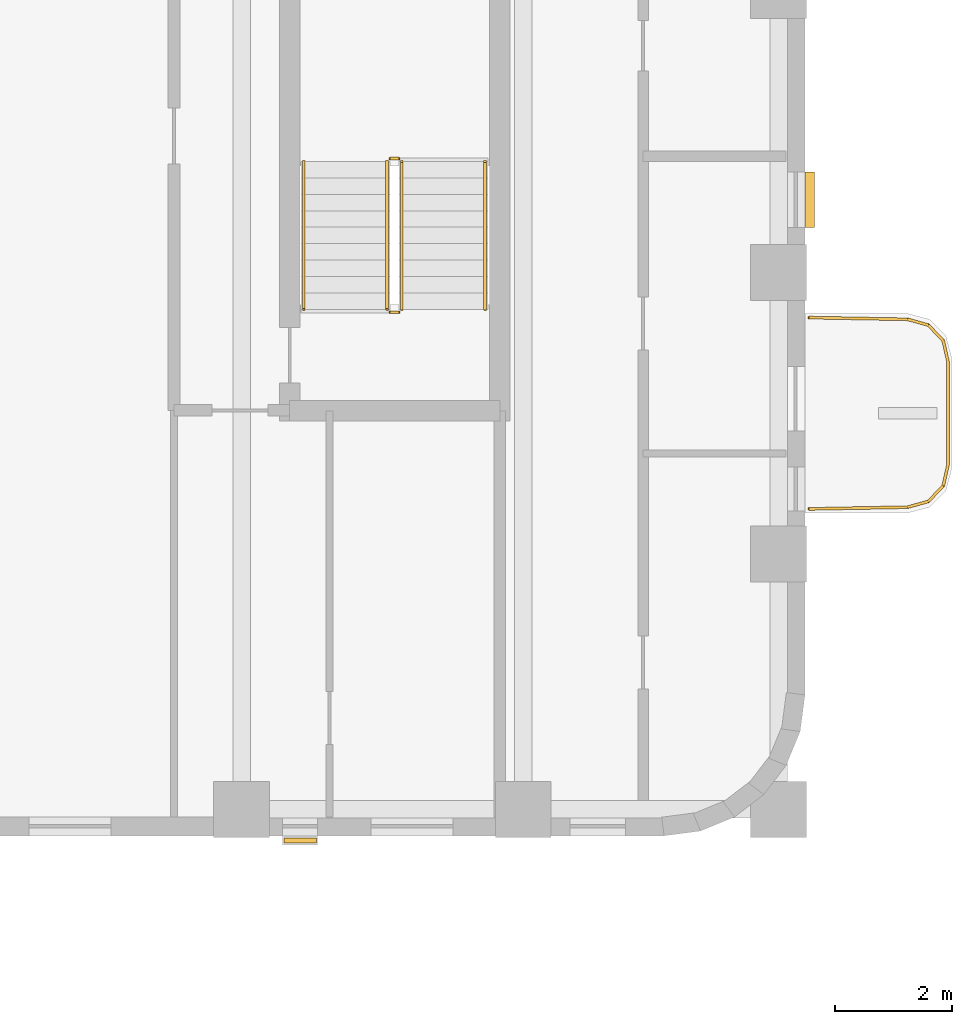
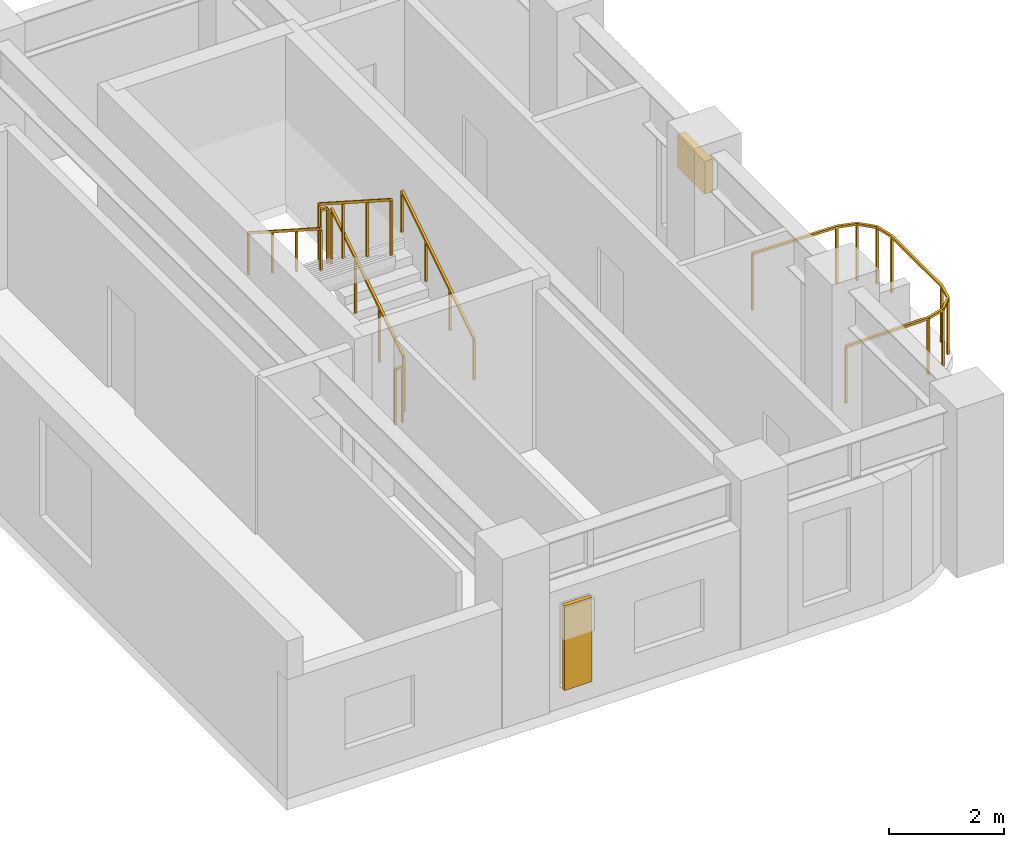
# One storey, part 10 of 11: 7 railings, 2 shading devices.
"""IFC4 building model written with IfcOpenShell, lengths in metres."""

from ifc_helpers import new_model, si_unit, direction, frame, origin, origin_2d, place, context, subcontext, project, spatial, rectangle, extrude, material, type_object, element, save


model = new_model("IFC4")

# Units and contexts
model_context = context("Model", 3, precision=1e-05, world=origin(), true_north=direction((0.0, 1.0)))
body_context = subcontext(model_context, "Body", "Model", "MODEL_VIEW")
ifc_project = project(units=[si_unit("LENGTHUNIT", "METRE"), si_unit("AREAUNIT", "SQUARE_METRE"), si_unit("VOLUMEUNIT", "CUBIC_METRE"), si_unit("PLANEANGLEUNIT", "RADIAN"), si_unit("MASSUNIT", "GRAM", prefix="KILO")], contexts=[model_context])

# Site, building, storey
site_placement = place(None, origin())
site = spatial("IfcSite", under=ifc_project, at=site_placement, CompositionType="ELEMENT")
building_placement = place(site_placement, origin())
building = spatial("IfcBuilding", under=site, at=building_placement, Name="Orvandelia Arch Residences", CompositionType="ELEMENT")
storey_placement = place(building_placement, frame((0.0, 0.0, 164.800048828125)))
storey = spatial("IfcBuildingStorey", under=building, at=storey_placement, Name="L43", CompositionType="ELEMENT", Elevation=164.800048828125)

# Railings
ifc_material_1 = material(Name="Marine-Grade Stainless Steel 316", Category="steel")
railing_type_1 = type_object("IfcRailingType", Name="GRD-BAL-1200", PredefinedType="BALUSTRADE", material=ifc_material_1)
railing_1_placement = place(storey_placement, frame((52.871826171875, 34.36962890625, 0.0)))
element("IfcRailing", 1, at=railing_1_placement, inside=storey, type_object=railing_type_1, Name="Safety Balustrade Guard GRD-L43-BAL-L43-E1-1", PredefinedType="BALUSTRADE", context=body_context, shape_type="SweptSolid", body=[
    extrude(rectangle(XDim=0.048095703125, YDim=0.048095703125, at=origin_2d()), frame((0.0, 0.0, 1.19580078125), z_axis=(0.999837384468, 0.018033430643, 0.0), x_axis=(-0.018033430643, 0.999837384468, 0.0)), (0.0, 0.0, 1.0), 1.6787109375),
    extrude(rectangle(XDim=0.048095703125, YDim=0.048095703125, at=origin_2d()), frame((1.678466796875, 0.0302734375, 1.19580078125), z_axis=(0.96348920644, 0.267747173792, 0.0), x_axis=(-0.267747173792, 0.96348920644, 0.0)), (0.0, 0.0, 1.0), 0.36572265625),
    extrude(rectangle(XDim=0.048095703125, YDim=0.048095703125, at=origin_2d()), frame((2.03076171875, 0.128173828125, 1.19580078125), z_axis=(0.687947031175, 0.725760898848, 0.0), x_axis=(-0.725760898848, 0.687947031175, 0.0)), (0.0, 0.0, 1.0), 0.367919921875),
    extrude(rectangle(XDim=0.048095703125, YDim=0.048095703125, at=origin_2d()), frame((2.283935546875, 0.395263671875, 1.19580078125), z_axis=(0.221225034864, 0.975222786828, 0.0), x_axis=(-0.975222786828, 0.221225034864, 0.0)), (0.0, 0.0, 1.0), 0.373046875),
    extrude(rectangle(XDim=0.048095703125, YDim=0.048095703125, at=origin_2d()), frame((2.366455078125, 0.759033203125, 1.19580078125), z_axis=(0.0, 1.0, 0.0), x_axis=(-1.0, 0.0, 0.0)), (0.0, 0.0, 1.0), 1.74267578125),
    extrude(rectangle(XDim=0.048095703125, YDim=0.048095703125, at=origin_2d()), frame((2.366455078125, 2.501708984375, 1.19580078125), z_axis=(-0.221225034864, 0.975222786828, 0.0), x_axis=(-0.975222786828, -0.221225034864, 0.0)), (0.0, 0.0, 1.0), 0.373046875),
    extrude(rectangle(XDim=0.048095703125, YDim=0.048095703125, at=origin_2d()), frame((2.283935546875, 2.865478515625, 1.19580078125), z_axis=(-0.687947031175, 0.725760898848, 0.0), x_axis=(-0.725760898848, -0.687947031175, 0.0)), (0.0, 0.0, 1.0), 0.367919921875),
    extrude(rectangle(XDim=0.048095703125, YDim=0.048095703125, at=origin_2d()), frame((2.03076171875, 3.132568359375, 1.19580078125), z_axis=(-0.96348920644, 0.267747173792, 0.0), x_axis=(-0.267747173792, -0.96348920644, 0.0)), (0.0, 0.0, 1.0), 0.36572265625),
    extrude(rectangle(XDim=0.048095703125, YDim=0.048095703125, at=origin_2d()), frame((1.678466796875, 3.23046875, 1.19580078125), z_axis=(-0.999837384468, 0.018033430643, 0.0), x_axis=(-0.018033430643, -0.999837384468, 0.0)), (0.0, 0.0, 1.0), 1.6787109375),
    extrude(rectangle(XDim=0.0419921875, YDim=0.0419921875, at=origin_2d()), origin(), (0.0, 0.0, 1.0), 1.171875),
    extrude(rectangle(XDim=0.0419921875, YDim=0.0419921875, at=origin_2d()), frame((1.678466796875, 0.0302734375, 0.0)), (0.0, 0.0, 1.0), 1.171875),
    extrude(rectangle(XDim=0.0419921875, YDim=0.0419921875, at=origin_2d()), frame((2.03076171875, 0.128173828125, 0.0)), (0.0, 0.0, 1.0), 1.171875),
    extrude(rectangle(XDim=0.0419921875, YDim=0.0419921875, at=origin_2d()), frame((2.283935546875, 0.395263671875, 0.0)), (0.0, 0.0, 1.0), 1.171875),
    extrude(rectangle(XDim=0.0419921875, YDim=0.0419921875, at=origin_2d()), frame((2.366455078125, 0.759033203125, 0.0)), (0.0, 0.0, 1.0), 1.171875),
    extrude(rectangle(XDim=0.0419921875, YDim=0.0419921875, at=origin_2d()), frame((2.366455078125, 2.501708984375, 0.0)), (0.0, 0.0, 1.0), 1.171875),
    extrude(rectangle(XDim=0.0419921875, YDim=0.0419921875, at=origin_2d()), frame((2.283935546875, 2.865478515625, 0.0)), (0.0, 0.0, 1.0), 1.171875),
    extrude(rectangle(XDim=0.0419921875, YDim=0.0419921875, at=origin_2d()), frame((2.03076171875, 3.132568359375, 0.0)), (0.0, 0.0, 1.0), 1.171875),
    extrude(rectangle(XDim=0.0419921875, YDim=0.0419921875, at=origin_2d()), frame((1.678466796875, 3.23046875, 0.0)), (0.0, 0.0, 1.0), 1.171875),
    extrude(rectangle(XDim=0.0419921875, YDim=0.0419921875, at=origin_2d()), frame((0.0, 3.2607421875, 0.0)), (0.0, 0.0, 1.0), 1.171875),
])
ifc_material_2 = material(Name="Brushed Stainless Steel 304", Category="steel")
railing_type_2 = type_object("IfcRailingType", Name="RL-STAIR-GD1120", PredefinedType="GUARDRAIL", material=ifc_material_2)
railing_2_placement = place(storey_placement, frame((45.929931640625, 37.77001953125, 0.179931640625)))
element("IfcRailing", 2, at=railing_2_placement, inside=storey, type_object=railing_type_2, Name="L43 ST-3 stair guard 1", PredefinedType="GUARDRAIL", context=body_context, shape_type="SweptSolid", body=[
    extrude(rectangle(XDim=0.048095703125, YDim=0.048095703125, at=origin_2d()), frame((0.0, 0.0, 1.17578125), z_axis=(0.0, 0.841162588446, 0.540782303519), x_axis=(-1.0, 0.0, 0.0)), (0.0, 0.0, 1.0), 2.995849609375),
    extrude(rectangle(XDim=0.0419921875, YDim=0.0419921875, at=origin_2d()), origin(), (0.0, 0.0, 1.0), 1.15185546875),
    extrude(rectangle(XDim=0.0419921875, YDim=0.0419921875, at=origin_2d()), frame((0.0, 0.840087890625, 0.5400390625)), (0.0, 0.0, 1.0), 1.15185546875),
    extrude(rectangle(XDim=0.0419921875, YDim=0.0419921875, at=origin_2d()), frame((0.0, 1.679931640625, 1.080078125)), (0.0, 0.0, 1.0), 1.15185546875),
    extrude(rectangle(XDim=0.0419921875, YDim=0.0419921875, at=origin_2d()), frame((0.0, 2.52001953125, 1.6201171875)), (0.0, 0.0, 1.0), 1.15185546875),
])
railing_3_placement = place(storey_placement, frame((45.8798828125, 40.340087890625, 1.800048828125)))
element("IfcRailing", 3, at=railing_3_placement, inside=storey, type_object=railing_type_2, Name="L43 ST-3 stair guard 2", PredefinedType="GUARDRAIL", context=body_context, shape_type="SweptSolid", body=[
    extrude(rectangle(XDim=0.048095703125, YDim=0.048095703125, at=origin_2d()), frame((0.0, 0.0, 1.17578125), z_axis=(-1.0, 0.0, 0.0), x_axis=(0.0, -1.0, 0.0)), (0.0, 0.0, 1.0), 0.14990234375),
    extrude(rectangle(XDim=0.0419921875, YDim=0.0419921875, at=origin_2d()), origin(), (0.0, 0.0, 1.0), 1.15185546875),
    extrude(rectangle(XDim=0.0419921875, YDim=0.0419921875, at=origin_2d()), frame((-0.14990234375, 0.0, 0.0)), (0.0, 0.0, 1.0), 1.15185546875),
])
railing_4_placement = place(storey_placement, frame((45.679931640625, 40.2900390625, 1.97998046875)))
element("IfcRailing", 4, at=railing_4_placement, inside=storey, type_object=railing_type_2, Name="L43 ST-3 stair guard 3", PredefinedType="GUARDRAIL", context=body_context, shape_type="SweptSolid", body=[
    extrude(rectangle(XDim=0.048095703125, YDim=0.048095703125, at=origin_2d()), frame((0.0, 0.0, 1.17578125), z_axis=(0.0, -0.841199657755, 0.540724639528), x_axis=(1.0, 0.0, 0.0)), (0.0, 0.0, 1.0), 2.995849609375),
    extrude(rectangle(XDim=0.0419921875, YDim=0.0419921875, at=origin_2d()), origin(), (0.0, 0.0, 1.0), 1.15185546875),
    extrude(rectangle(XDim=0.0419921875, YDim=0.0419921875, at=origin_2d()), frame((0.0, -0.840087890625, 0.5400390625)), (0.0, 0.0, 1.0), 1.15185546875),
    extrude(rectangle(XDim=0.0419921875, YDim=0.0419921875, at=origin_2d()), frame((0.0, -1.679931640625, 1.079833984375)), (0.0, 0.0, 1.0), 1.15185546875),
    extrude(rectangle(XDim=0.0419921875, YDim=0.0419921875, at=origin_2d()), frame((0.0, -2.52001953125, 1.619873046875)), (0.0, 0.0, 1.0), 1.15185546875),
])
railing_5_placement = place(storey_placement, frame((45.8798828125, 37.719970703125, 0.0)))
element("IfcRailing", 5, at=railing_5_placement, inside=storey, type_object=railing_type_2, Name="L43 ST-3 stair guard 4", PredefinedType="GUARDRAIL", context=body_context, shape_type="SweptSolid", body=[
    extrude(rectangle(XDim=0.048095703125, YDim=0.048095703125, at=origin_2d()), frame((0.0, 0.0, 1.17578125), z_axis=(-1.0, 0.0, 0.0), x_axis=(0.0, -1.0, 0.0)), (0.0, 0.0, 1.0), 0.14990234375),
    extrude(rectangle(XDim=0.0419921875, YDim=0.0419921875, at=origin_2d()), origin(), (0.0, 0.0, 1.0), 1.15185546875),
    extrude(rectangle(XDim=0.0419921875, YDim=0.0419921875, at=origin_2d()), frame((-0.14990234375, 0.0, 0.0)), (0.0, 0.0, 1.0), 1.15185546875),
])
railing_type_3 = type_object("IfcRailingType", Name="RL-STAIR-HR920", PredefinedType="HANDRAIL", material=ifc_material_2)
railing_6_placement = place(storey_placement, frame((47.35009765625, 37.77001953125, 0.35986328125)))
element("IfcRailing", 6, at=railing_6_placement, inside=storey, type_object=railing_type_3, Name="L43 ST-3 stair handrail 1", PredefinedType="HANDRAIL", context=body_context, shape_type="SweptSolid", body=[
    extrude(rectangle(XDim=0.048095703125, YDim=0.048095703125, at=origin_2d()), frame((0.0, 0.0, 0.8759765625), z_axis=(0.0, 0.841162588446, 0.540782303519), x_axis=(-1.0, 0.0, 0.0)), (0.0, 0.0, 1.0), 2.995849609375),
    extrude(rectangle(XDim=0.0419921875, YDim=0.0419921875, at=origin_2d()), origin(), (0.0, 0.0, 1.0), 0.851806640625),
    extrude(rectangle(XDim=0.0419921875, YDim=0.0419921875, at=origin_2d()), frame((0.0, 0.840087890625, 0.5400390625)), (0.0, 0.0, 1.0), 0.851806640625),
    extrude(rectangle(XDim=0.0419921875, YDim=0.0419921875, at=origin_2d()), frame((0.0, 1.679931640625, 1.080078125)), (0.0, 0.0, 1.0), 0.851806640625),
    extrude(rectangle(XDim=0.0419921875, YDim=0.0419921875, at=origin_2d()), frame((0.0, 2.52001953125, 1.6201171875)), (0.0, 0.0, 1.0), 0.851806640625),
])
railing_7_placement = place(storey_placement, frame((44.260009765625, 40.2900390625, 2.159912109375)))
element("IfcRailing", 7, at=railing_7_placement, inside=storey, type_object=railing_type_3, Name="L43 ST-3 stair handrail 2", PredefinedType="HANDRAIL", context=body_context, shape_type="SweptSolid", body=[
    extrude(rectangle(XDim=0.048095703125, YDim=0.048095703125, at=origin_2d()), frame((0.0, 0.0, 0.8759765625), z_axis=(0.0, -0.841162588446, 0.540782303519), x_axis=(1.0, 0.0, 0.0)), (0.0, 0.0, 1.0), 2.995849609375),
    extrude(rectangle(XDim=0.0419921875, YDim=0.0419921875, at=origin_2d()), origin(), (0.0, 0.0, 1.0), 0.851806640625),
    extrude(rectangle(XDim=0.0419921875, YDim=0.0419921875, at=origin_2d()), frame((0.0, -0.840087890625, 0.5400390625)), (0.0, 0.0, 1.0), 0.851806640625),
    extrude(rectangle(XDim=0.0419921875, YDim=0.0419921875, at=origin_2d()), frame((0.0, -1.679931640625, 1.080078125)), (0.0, 0.0, 1.0), 0.851806640625),
    extrude(rectangle(XDim=0.0419921875, YDim=0.0419921875, at=origin_2d()), frame((0.0, -2.52001953125, 1.6201171875)), (0.0, 0.0, 1.0), 0.851806640625),
])

# Shading devices
ifc_material_3 = material(Name="Anodised Champagne-Bronze Extruded Aluminium", Category="aluminium")
shading_device_type_1 = type_object("IfcShadingDeviceType", Name="SHD-JALOUSIE-SCREEN", PredefinedType="JALOUSIE", material=ifc_material_3)
shading_device_1_placement = place(storey_placement, frame((52.8798828125, 39.638916015625, 1.5498046875), z_axis=(0.0, 0.0, 1.0), x_axis=(0.0, -1.0, 0.0)))
element("IfcShadingDevice", 8, at=shading_device_1_placement, inside=storey, type_object=shading_device_type_1, Name="Bronze Jalousie Sun-Shade L43-002", PredefinedType="JALOUSIE", context=body_context, shape_type="SweptSolid", body=[
    extrude(rectangle(XDim=0.949951171875, YDim=0.159912109375, at=origin_2d()), origin(), (0.0, 0.0, 1.0), 0.699951171875),
])
ifc_material_4 = material(Name="Marine-Grade Perforated Aluminium Storm Shutter", Category="aluminium")
shading_device_type_2 = type_object("IfcShadingDeviceType", Name="SHD-STORM-SHUTTER", PredefinedType="SHUTTER", material=ifc_material_4)
shading_device_2_placement = place(storey_placement, frame((44.197509765625, 28.719970703125, 0.44970703125), z_axis=(0.0, 0.0, 1.0), x_axis=(-1.0, 0.0, 0.0)))
element("IfcShadingDevice", 9, at=shading_device_2_placement, inside=storey, type_object=shading_device_type_2, Name="Operable Typhoon Storm Shutter L43-003", PredefinedType="SHUTTER", context=body_context, shape_type="SweptSolid", body=[
    extrude(rectangle(XDim=0.550048828125, YDim=0.080078125, at=origin_2d()), origin(), (0.0, 0.0, 1.0), 1.800048828125),
])

save(model, "model.ifc")
